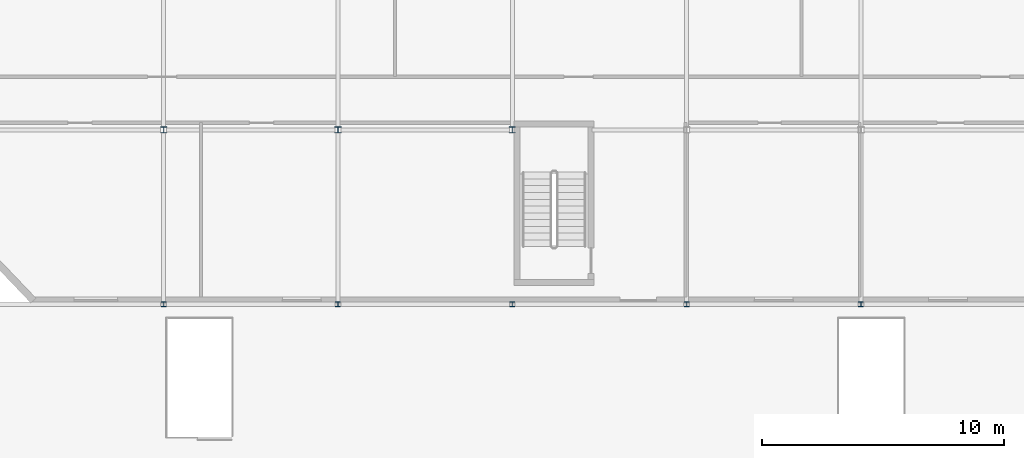
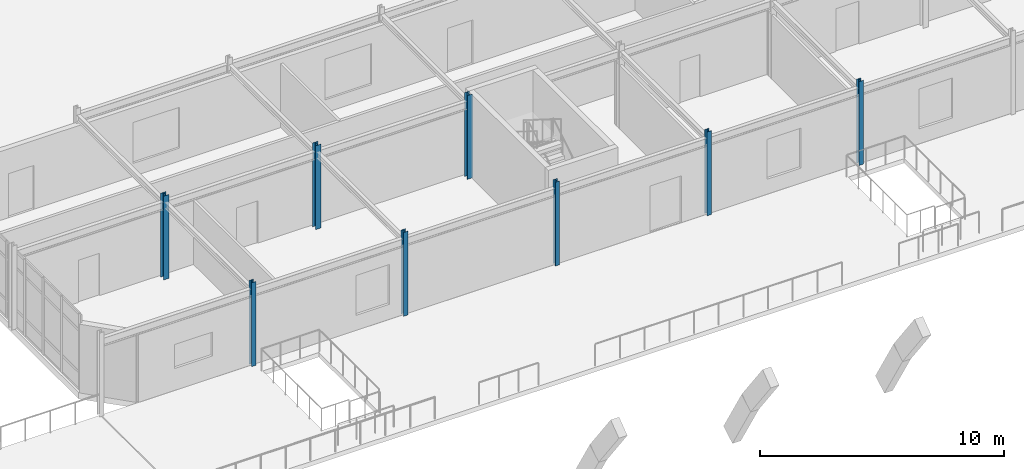
# One storey, part 12 of 85: 8 columns.
"""IFC4 building model written with IfcOpenShell, lengths in metres."""

from ifc_helpers import new_model, si_unit, direction, frame, origin, origin_2d, place, context, subcontext, project, spatial, i_section, extrude, material, material_profile, profile_set, type_object, element, save


model = new_model("IFC4")

# Units and contexts
model_context = context("Model", 3, precision=1e-05, world=origin(), true_north=direction((0.0, 1.0)))
body_context = subcontext(model_context, "Body", "Model", "MODEL_VIEW")
ifc_project = project(units=[si_unit("LENGTHUNIT", "METRE"), si_unit("AREAUNIT", "SQUARE_METRE"), si_unit("VOLUMEUNIT", "CUBIC_METRE"), si_unit("PLANEANGLEUNIT", "RADIAN"), si_unit("MASSUNIT", "GRAM", prefix="KILO")], contexts=[model_context])

# Site, building, storey
site_placement = place(None, origin())
site = spatial("IfcSite", under=ifc_project, at=site_placement, CompositionType="ELEMENT")
building_placement = place(site_placement, origin())
building = spatial("IfcBuilding", under=site, at=building_placement, Name="Ochrevale Crest", CompositionType="ELEMENT")
storey_placement = place(building_placement, frame((0.0, 0.0, 4.5)))
storey = spatial("IfcBuildingStorey", under=building, at=storey_placement, Name="L01", CompositionType="ELEMENT", Elevation=4.5)

# Columns
ifc_material = material(Name="Steel S355", Category="steel")
ifc_material_profile_1 = material_profile(ifc_material, i_section(OverallWidth=0.205078125, OverallDepth=0.209716796875, WebThickness=0.00927734375, FlangeThickness=0.01416015625, FilletRadius=0.01025390625, at=origin_2d()), Name="200UC59.5")
ifc_profile_set_1 = profile_set([ifc_material_profile_1], Name="Steel S355")
column_type_1 = type_object("IfcColumnType", Name="COL-UC200B", PredefinedType="COLUMN", material=ifc_profile_set_1)
for number, where, z_axis, x_axis, name in (
    (1, (64.800048828125, 79.199951171875, 0.0), (0.0, 0.0, 1.0), (1.0, 0.0, 0.0), "Nursery L01 steel column (64.8,79.2)"),
    (2, (72.0, 79.199951171875, 0.0), (0.0, 0.0, 1.0), (1.0, 0.0, 0.0), "Nursery L01 steel column (72.0,79.2)"),
    (3, (79.199951171875, 79.199951171875, 0.0), (0.0, 0.0, 1.0), (1.0, 0.0, 0.0), "Nursery L01 steel column (79.2,79.2)"),
    (4, (86.39990234375, 79.199951171875, 0.0), (0.0, 0.0, 1.0), (1.0, 0.0, 0.0), "Nursery L01 steel column (86.4,79.2)"),
    (5, (93.60009765625, 79.199951171875, 0.0), (0.0, 0.0, 1.0), (1.0, 0.0, 0.0), "Nursery L01 steel column (93.6,79.2)"),
):
    element("IfcColumn", number, at=place(storey_placement, frame(where, z_axis=z_axis, x_axis=x_axis)), inside=storey, type_object=column_type_1, Name=name, PredefinedType="COLUMN", context=body_context, shape_type="SweptSolid", body=[
        extrude(i_section(OverallWidth=0.205078125, OverallDepth=0.209716796875, WebThickness=0.00927734375, FlangeThickness=0.01416015625, FilletRadius=0.01025390625, at=origin_2d()), origin(), (0.0, 0.0, 1.0), 4.199951171875),
    ])
ifc_material_profile_2 = material_profile(ifc_material, i_section(OverallWidth=0.25390625, OverallDepth=0.25390625, WebThickness=0.008544921875, FlangeThickness=0.01416015625, FilletRadius=0.0126953125, at=origin_2d()), Name="250UC72.9")
ifc_profile_set_2 = profile_set([ifc_material_profile_2], Name="Steel S355")
column_type_2 = type_object("IfcColumnType", Name="COL-UC250A", PredefinedType="COLUMN", material=ifc_profile_set_2)
for number, where, z_axis, x_axis, name in (
    (6, (64.800048828125, 86.39990234375, 0.0), (0.0, 0.0, 1.0), (1.0, 0.0, 0.0), "Nursery L01 steel column (64.8,86.4)"),
    (7, (72.0, 86.39990234375, 0.0), (0.0, 0.0, 1.0), (1.0, 0.0, 0.0), "Nursery L01 steel column (72.0,86.4)"),
    (8, (79.199951171875, 86.39990234375, 0.0), (0.0, 0.0, 1.0), (1.0, 0.0, 0.0), "Nursery L01 steel column (79.2,86.4)"),
):
    element("IfcColumn", number, at=place(storey_placement, frame(where, z_axis=z_axis, x_axis=x_axis)), inside=storey, type_object=column_type_2, Name=name, PredefinedType="COLUMN", context=body_context, shape_type="SweptSolid", body=[
        extrude(i_section(OverallWidth=0.25390625, OverallDepth=0.25390625, WebThickness=0.008544921875, FlangeThickness=0.01416015625, FilletRadius=0.0126953125, at=origin_2d()), origin(), (0.0, 0.0, 1.0), 4.199951171875),
    ])

save(model, "model.ifc")
